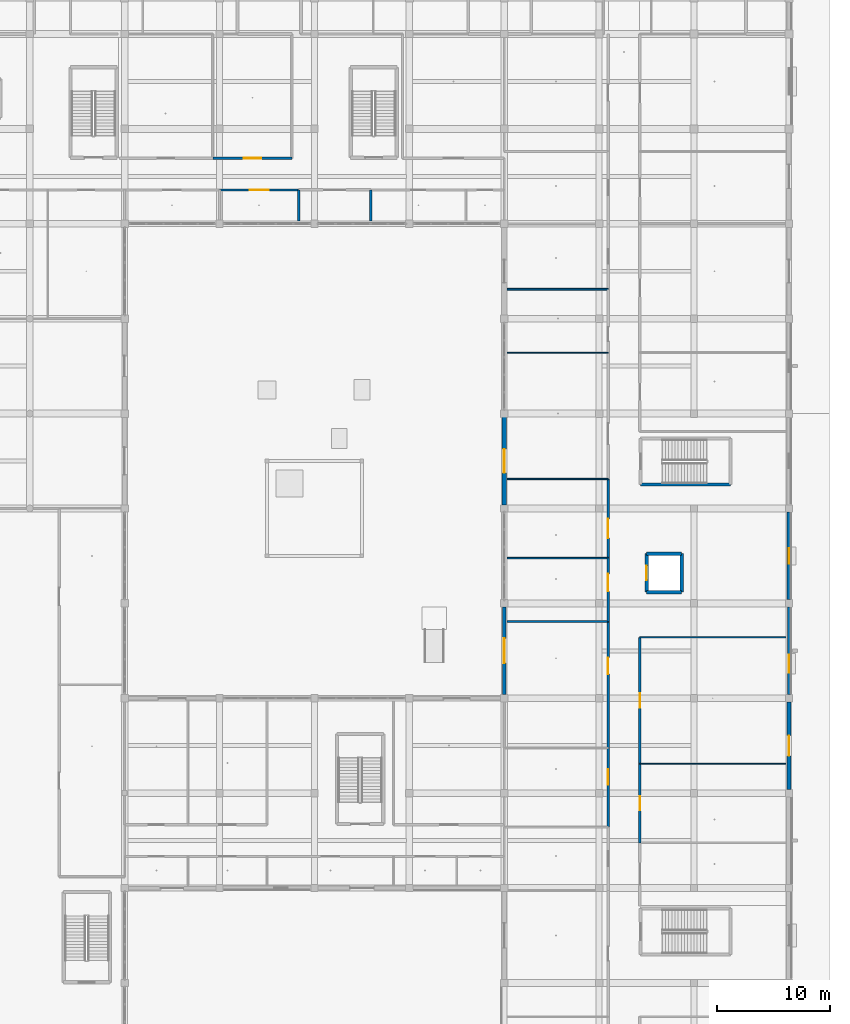
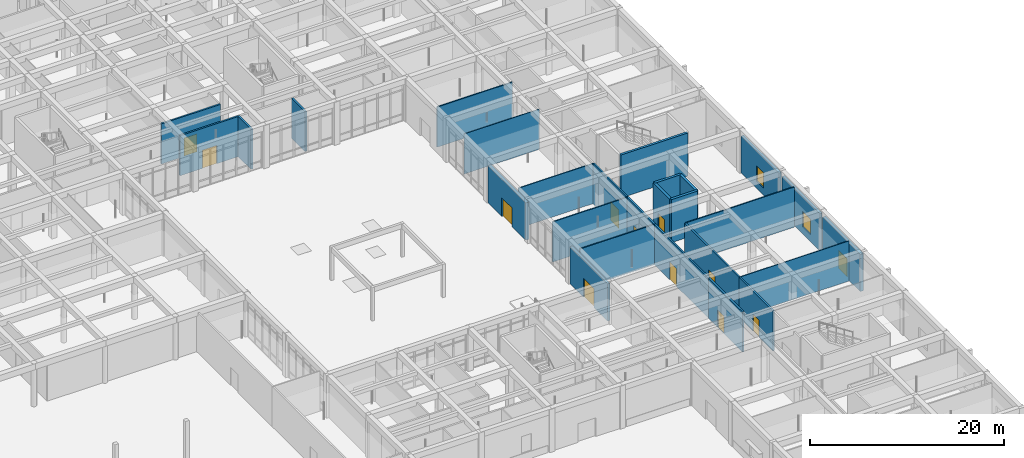
# One storey, part 75 of 167: 27 walls, 12 doors, 2 windows, 14 openings.
"""IFC4 building model written with IfcOpenShell, lengths in metres."""

from ifc_helpers import new_model, si_unit, direction, frame, frame_2d, origin, place, context, subcontext, project, spatial, rectangle, extrude, material, layer, layer_set, type_object, element, fill, save


model = new_model("IFC4")

# Units and contexts
model_context = context("Model", 3, precision=1e-05, world=origin(), true_north=direction((0.0, 1.0)))
body_context = subcontext(model_context, "Body", "Model", "MODEL_VIEW")
ifc_project = project(units=[si_unit("LENGTHUNIT", "METRE"), si_unit("AREAUNIT", "SQUARE_METRE"), si_unit("VOLUMEUNIT", "CUBIC_METRE"), si_unit("PLANEANGLEUNIT", "RADIAN"), si_unit("MASSUNIT", "GRAM", prefix="KILO")], contexts=[model_context])

# Site, building, storey
site_placement = place(None, origin())
site = spatial("IfcSite", under=ifc_project, at=site_placement, CompositionType="ELEMENT")
building_placement = place(site_placement, origin())
building = spatial("IfcBuilding", under=site, at=building_placement, Name="Varncliffe General Hospital", CompositionType="ELEMENT")
storey_placement = place(building_placement, origin())
storey = spatial("IfcBuildingStorey", under=building, at=storey_placement, Name="L00", CompositionType="ELEMENT", Elevation=0.0)

# Wall, opening, window
ifc_material_1 = material(Name="Precast concrete C40/50 with insulated cream lime-cement stucco", Category="concrete")
ifc_layer_1 = layer(ifc_material_1, 0.31005859375)
ifc_layer_set_1 = layer_set([ifc_layer_1], Name="Precast concrete C40/50 with insulated cream lime-cement stucco")
wall_type_1 = type_object("IfcWallType", Name="Exterior Insulated Stucco Wall EW20 (310mm)", PredefinedType="SOLIDWALL", material=ifc_layer_set_1)
wall_1_placement = place(storey_placement, frame((176.39990234375, 57.277099609375, 0.0), z_axis=(0.0, 0.0, 1.0), x_axis=(0.0, -1.0, 0.0)))
wall_1 = element("IfcWall", 1, at=wall_1_placement, inside=storey, type_object=wall_type_1, Name="L00 Exterior Stucco Wall EW20-45", PredefinedType="SOLIDWALL", context=body_context, shape_type="SweptSolid", body=[
    extrude(rectangle(XDim=7.754150390625, YDim=0.31005859375, at=frame_2d((3.876953125, 0.0))), origin(), (0.0, 0.0, 1.0), 4.679931640625),
])
opening_1_placement = place(wall_1_placement, frame((3.177001953125, 0.0, 0.89990234375)))
opening_1 = element("IfcOpeningElement", 2, at=opening_1_placement, cuts=wall_1, Name="Opening WN22", PredefinedType="OPENING", context=body_context, shape_type="SweptSolid", body=[
    extrude(rectangle(XDim=1.39990234375, YDim=1.949951171875, at=frame_2d((0.699951171875, 0.97509765625))), frame((0.0, 0.1650390625, 0.0), z_axis=(0.0, -1.0, 0.0), x_axis=(1.0, 0.0, 0.0)), (0.0, 0.0, 1.0), 0.330078125),
])
ifc_material_2 = material(Name="Triple low-E argon insulated vision glazing", Category="glass")
window_type_1 = type_object("IfcWindowType", Name="Triple-Glazed Hospital Window WN22 (1400x1950)", PartitioningType="SINGLE_PANEL", PredefinedType="WINDOW", material=ifc_material_2)
window_1_placement = place(opening_1_placement, origin())
window_1 = element("IfcWindow", 3, at=window_1_placement, inside=storey, type_object=window_type_1, Name="L00 Hospital Window WN22-26", OverallHeight=1.949951171875, OverallWidth=1.39990234375, PartitioningType="SINGLE_PANEL", PredefinedType="WINDOW", context=body_context, shape_type="SweptSolid", body=[
    extrude(rectangle(XDim=1.39990234375, YDim=1.949951171875, at=frame_2d((0.699951171875, 0.97509765625))), frame((0.0, 0.030029296875, 0.0), z_axis=(0.0, -1.0, 0.0), x_axis=(1.0, 0.0, 0.0)), (0.0, 0.0, 1.0), 0.06005859375),
])
fill(opening_1, window_1)

# Wall, opening, door
ifc_layer_2 = layer(ifc_material_1, 0.3798828125)
ifc_layer_set_2 = layer_set([ifc_layer_2], Name="Precast concrete C40/50 with insulated cream lime-cement stucco")
wall_type_2 = type_object("IfcWallType", Name="Exterior Insulated Stucco Wall EW26 (380mm)", PredefinedType="SOLIDWALL", material=ifc_layer_set_2)
wall_2_placement = place(storey_placement, frame((176.39990234375, 40.47705078125, 0.0), z_axis=(0.0, 0.0, 1.0), x_axis=(0.0, -1.0, 0.0)))
wall_2 = element("IfcWall", 4, at=wall_2_placement, inside=storey, type_object=wall_type_2, Name="L00 Exterior Stucco Wall EW26-47", PredefinedType="SOLIDWALL", context=body_context, shape_type="SweptSolid", body=[
    extrude(rectangle(XDim=7.754150390625, YDim=0.3798828125, at=frame_2d((3.876953125, 0.0))), origin(), (0.0, 0.0, 1.0), 4.679931640625),
])
opening_2_placement = place(wall_2_placement, frame((2.97705078125, 0.0, 0.0)))
opening_2 = element("IfcOpeningElement", 5, at=opening_2_placement, cuts=wall_2, Name="Opening DE28", PredefinedType="OPENING", context=body_context, shape_type="SweptSolid", body=[
    extrude(rectangle(XDim=1.800048828125, YDim=2.25, at=frame_2d((0.89990234375, 1.125))), frame((0.0, 0.199951171875, 0.0), z_axis=(0.0, -1.0, 0.0), x_axis=(1.0, 0.0, 0.0)), (0.0, 0.0, 1.0), 0.39990234375),
])
ifc_material_3 = material(Name="Thermally broken bronze-anodized aluminium and safety glass door", Category="aluminium")
door_type_1 = type_object("IfcDoorType", Name="Exterior Pedestrian Door DE28 (1800x2250)", OperationType="NOTDEFINED", PredefinedType="DOOR", material=ifc_material_3)
door_1_placement = place(opening_2_placement, origin())
door_1 = element("IfcDoor", 6, at=door_1_placement, inside=storey, type_object=door_type_1, Name="Main Pedestrian Entrance and Final Exit Door FE-11", OperationType="DOUBLE_DOOR_SINGLE_SWING", OverallHeight=2.25, OverallWidth=1.800048828125, PredefinedType="DOOR", context=body_context, shape_type="SweptSolid", body=[
    extrude(rectangle(XDim=1.800048828125, YDim=2.25, at=frame_2d((0.89990234375, 1.125))), frame((0.0, 0.02490234375, 0.0), z_axis=(0.0, -1.0, 0.0), x_axis=(1.0, 0.0, 0.0)), (0.0, 0.0, 1.0), 0.050048828125),
])
fill(opening_2, door_1)

wall_3_placement = place(storey_placement, frame((151.199951171875, 57.923095703125, 0.0), z_axis=(0.0, 0.0, 1.0), x_axis=(0.0, 1.0, 0.0)))
wall_3 = element("IfcWall", 7, at=wall_3_placement, inside=storey, type_object=wall_type_2, Name="L00 Exterior Stucco Wall EW26-87", PredefinedType="SOLIDWALL", context=body_context, shape_type="SweptSolid", body=[
    extrude(rectangle(XDim=7.75390625, YDim=0.3798828125, at=frame_2d((3.876953125, 0.0))), origin(), (0.0, 0.0, 1.0), 4.679931640625),
])
opening_3_placement = place(wall_3_placement, frame((2.826904296875, 0.0, 0.0)))
opening_3 = element("IfcOpeningElement", 8, at=opening_3_placement, cuts=wall_3, Name="Opening DE44", PredefinedType="OPENING", context=body_context, shape_type="SweptSolid", body=[
    extrude(rectangle(XDim=2.10009765625, YDim=2.35009765625, at=frame_2d((1.050048828125, 1.175048828125))), frame((0.0, 0.199951171875, 0.0), z_axis=(0.0, -1.0, 0.0), x_axis=(1.0, 0.0, 0.0)), (0.0, 0.0, 1.0), 0.39990234375),
])
door_type_2 = type_object("IfcDoorType", Name="Exterior Pedestrian Door DE44 (2100x2350)", OperationType="NOTDEFINED", PredefinedType="DOOR", material=ifc_material_3)
door_2_placement = place(opening_3_placement, origin())
door_2 = element("IfcDoor", 9, at=door_2_placement, inside=storey, type_object=door_type_2, Name="Main Pedestrian Entrance and Final Exit Door FE-33", OperationType="DOUBLE_DOOR_SINGLE_SWING", OverallHeight=2.35009765625, OverallWidth=2.10009765625, PredefinedType="DOOR", context=body_context, shape_type="SweptSolid", body=[
    extrude(rectangle(XDim=2.10009765625, YDim=2.35009765625, at=frame_2d((1.050048828125, 1.175048828125))), frame((0.0, 0.02490234375, 0.0), z_axis=(0.0, -1.0, 0.0), x_axis=(1.0, 0.0, 0.0)), (0.0, 0.0, 1.0), 0.050048828125),
])
fill(opening_3, door_2)

# Wall, opening, window
ifc_layer_3 = layer(ifc_material_1, 0.2900390625)
ifc_layer_set_3 = layer_set([ifc_layer_3], Name="Precast concrete C40/50 with insulated cream lime-cement stucco")
wall_type_3 = type_object("IfcWallType", Name="Exterior Insulated Stucco Wall EW31 (290mm)", PredefinedType="SOLIDWALL", material=ifc_layer_set_3)
wall_4_placement = place(storey_placement, frame((176.39990234375, 48.876953125, 0.0), z_axis=(0.0, 0.0, 1.0), x_axis=(0.0, -1.0, 0.0)))
wall_4 = element("IfcWall", 10, at=wall_4_placement, inside=storey, type_object=wall_type_3, Name="L00 Exterior Stucco Wall EW31-46", PredefinedType="SOLIDWALL", context=body_context, shape_type="SweptSolid", body=[
    extrude(rectangle(XDim=7.75390625, YDim=0.2900390625, at=frame_2d((3.876953125, 0.0))), origin(), (0.0, 0.0, 1.0), 4.679931640625),
])
opening_4_placement = place(wall_4_placement, frame((4.23291015625, 0.0, 0.89990234375)))
opening_4 = element("IfcOpeningElement", 11, at=opening_4_placement, cuts=wall_4, Name="Opening WN13", PredefinedType="OPENING", context=body_context, shape_type="SweptSolid", body=[
    extrude(rectangle(XDim=1.60009765625, YDim=1.949951171875, at=frame_2d((0.800048828125, 0.97509765625))), frame((0.0, 0.155029296875, 0.0), z_axis=(0.0, -1.0, 0.0), x_axis=(1.0, 0.0, 0.0)), (0.0, 0.0, 1.0), 0.31005859375),
])
window_type_2 = type_object("IfcWindowType", Name="Triple-Glazed Hospital Window WN13 (1600x1950)", PartitioningType="DOUBLE_PANEL_VERTICAL", PredefinedType="WINDOW", material=ifc_material_2)
window_2_placement = place(opening_4_placement, origin())
window_2 = element("IfcWindow", 12, at=window_2_placement, inside=storey, type_object=window_type_2, Name="L00 Hospital Window WN13-27", OverallHeight=1.949951171875, OverallWidth=1.60009765625, PartitioningType="DOUBLE_PANEL_VERTICAL", PredefinedType="WINDOW", context=body_context, shape_type="SweptSolid", body=[
    extrude(rectangle(XDim=1.60009765625, YDim=1.949951171875, at=frame_2d((0.800048828125, 0.97509765625))), frame((0.0, 0.030029296875, 0.0), z_axis=(0.0, -1.0, 0.0), x_axis=(1.0, 0.0, 0.0)), (0.0, 0.0, 1.0), 0.06005859375),
])
fill(opening_4, window_2)

# Wall, opening, door
wall_5_placement = place(storey_placement, frame((151.199951171875, 41.123046875, 0.0), z_axis=(0.0, 0.0, 1.0), x_axis=(0.0, 1.0, 0.0)))
wall_5 = element("IfcWall", 13, at=wall_5_placement, inside=storey, type_object=wall_type_3, Name="L00 Exterior Stucco Wall EW31-86", PredefinedType="SOLIDWALL", context=body_context, shape_type="SweptSolid", body=[
    extrude(rectangle(XDim=7.75390625, YDim=0.2900390625, at=frame_2d((3.876953125, 0.0))), origin(), (0.0, 0.0, 1.0), 4.679931640625),
])
opening_5_placement = place(wall_5_placement, frame((2.777099609375, 0.0, 0.0)))
opening_5 = element("IfcOpeningElement", 14, at=opening_5_placement, cuts=wall_5, Name="Opening DE27", PredefinedType="OPENING", context=body_context, shape_type="SweptSolid", body=[
    extrude(rectangle(XDim=2.199951171875, YDim=2.39990234375, at=frame_2d((1.10009765625, 1.199951171875))), frame((0.0, 0.155029296875, 0.0), z_axis=(0.0, -1.0, 0.0), x_axis=(1.0, 0.0, 0.0)), (0.0, 0.0, 1.0), 0.31005859375),
])
door_type_3 = type_object("IfcDoorType", Name="Exterior Pedestrian Door DE27 (2200x2400)", OperationType="NOTDEFINED", PredefinedType="DOOR", material=ifc_material_3)
door_3_placement = place(opening_5_placement, origin())
door_3 = element("IfcDoor", 15, at=door_3_placement, inside=storey, type_object=door_type_3, Name="Main Pedestrian Entrance and Final Exit Door FE-32", OperationType="DOUBLE_DOOR_SINGLE_SWING", OverallHeight=2.39990234375, OverallWidth=2.199951171875, PredefinedType="DOOR", context=body_context, shape_type="SweptSolid", body=[
    extrude(rectangle(XDim=2.199951171875, YDim=2.39990234375, at=frame_2d((1.10009765625, 1.199951171875))), frame((0.0, 0.02490234375, 0.0), z_axis=(0.0, -1.0, 0.0), x_axis=(1.0, 0.0, 0.0)), (0.0, 0.0, 1.0), 0.050048828125),
])
fill(opening_5, door_3)

# Walls
ifc_material_4 = material(Name="Acoustic clinical gypsum stud partition assembly", Category="gypsum")
ifc_layer_4 = layer(ifc_material_4, 0.1298828125)
ifc_layer_set_4 = layer_set([ifc_layer_4], Name="Acoustic clinical gypsum stud partition assembly")
wall_type_4 = type_object("IfcWallType", Name="Interior Partitioning IW11 (130mm)", PredefinedType="PARTITIONING", material=ifc_layer_set_4)
wall_6_placement = place(storey_placement, frame((163.199951171875, 46.199951171875, 0.0), z_axis=(0.0, 0.0, 1.0), x_axis=(1.0, 0.0, 0.0)))
element("IfcWall", 16, at=wall_6_placement, inside=storey, type_object=wall_type_4, Name="L00 Interior Partition Wall IW11-103", PredefinedType="PARTITIONING", context=body_context, shape_type="SweptSolid", body=[
    extrude(rectangle(XDim=12.93994140625, YDim=0.1298828125, at=frame_2d((6.469970703125, 0.0))), origin(), (0.0, 0.0, 1.0), 5.0400390625),
])
wall_7_placement = place(storey_placement, frame((151.4599609375, 53.199951171875, 0.0), z_axis=(0.0, 0.0, 1.0), x_axis=(1.0, 0.0, 0.0)))
element("IfcWall", 17, at=wall_7_placement, inside=storey, type_object=wall_type_4, Name="L00 Interior Partition Wall IW11-108", PredefinedType="PARTITIONING", context=body_context, shape_type="SweptSolid", body=[
    extrude(rectangle(XDim=8.93994140625, YDim=0.1298828125, at=frame_2d((4.469970703125, 0.0))), origin(), (0.0, 0.0, 1.0), 5.0400390625),
])
ifc_layer_5 = layer(ifc_material_4, 0.14990234375)
ifc_layer_set_5 = layer_set([ifc_layer_5], Name="Acoustic clinical gypsum stud partition assembly")
wall_type_5 = type_object("IfcWallType", Name="Interior Partitioning IW35 (150mm)", PredefinedType="PARTITIONING", material=ifc_layer_set_5)
for number, where, z_axis, x_axis, name in (
    (18, (151.4599609375, 47.60009765625, 0.0), (0.0, 0.0, 1.0), (1.0, 0.0, 0.0), "L00 Interior Partition Wall IW35-104"),
    (19, (151.4599609375, 77.0, 0.0), (0.0, 0.0, 1.0), (1.0, 0.0, 0.0), "L00 Interior Partition Wall IW35-139"),
):
    element("IfcWall", number, at=place(storey_placement, frame(where, z_axis=z_axis, x_axis=x_axis)), inside=storey, type_object=wall_type_5, Name=name, PredefinedType="PARTITIONING", context=body_context, shape_type="SweptSolid", body=[
        extrude(rectangle(XDim=8.93994140625, YDim=0.14990234375, at=frame_2d((4.469970703125, 0.0))), origin(), (0.0, 0.0, 1.0), 5.0400390625),
    ])
ifc_layer_6 = layer(ifc_material_4, 0.090087890625)
ifc_layer_set_6 = layer_set([ifc_layer_6], Name="Acoustic clinical gypsum stud partition assembly")
wall_type_6 = type_object("IfcWallType", Name="Interior Partitioning IW42 (90mm)", PredefinedType="PARTITIONING", material=ifc_layer_set_6)
wall_8_placement = place(storey_placement, frame((163.199951171875, 35.0, 0.0), z_axis=(0.0, 0.0, 1.0), x_axis=(1.0, 0.0, 0.0)))
element("IfcWall", 20, at=wall_8_placement, inside=storey, type_object=wall_type_6, Name="L00 Interior Partition Wall IW42-96", PredefinedType="PARTITIONING", context=body_context, shape_type="SweptSolid", body=[
    extrude(rectangle(XDim=12.93994140625, YDim=0.090087890625, at=frame_2d((6.469970703125, 0.0))), origin(), (0.0, 0.0, 1.0), 5.0400390625),
])
wall_9_placement = place(storey_placement, frame((151.4599609375, 71.39990234375, 0.0), z_axis=(0.0, 0.0, 1.0), x_axis=(1.0, 0.0, 0.0)))
element("IfcWall", 21, at=wall_9_placement, inside=storey, type_object=wall_type_6, Name="L00 Interior Partition Wall IW42-121", PredefinedType="PARTITIONING", context=body_context, shape_type="SweptSolid", body=[
    extrude(rectangle(XDim=8.93994140625, YDim=0.090087890625, at=frame_2d((4.469970703125, 0.0))), origin(), (0.0, 0.0, 1.0), 5.0400390625),
])
ifc_layer_7 = layer(ifc_material_4, 0.110107421875)
ifc_layer_set_7 = layer_set([ifc_layer_7], Name="Acoustic clinical gypsum stud partition assembly")
wall_type_7 = type_object("IfcWallType", Name="Interior Partitioning IW65 (110mm)", PredefinedType="PARTITIONING", material=ifc_layer_set_7)
wall_10_placement = place(storey_placement, frame((151.4599609375, 60.199951171875, 0.0), z_axis=(0.0, 0.0, 1.0), x_axis=(1.0, 0.0, 0.0)))
element("IfcWall", 22, at=wall_10_placement, inside=storey, type_object=wall_type_7, Name="L00 Interior Partition Wall IW65-117", PredefinedType="PARTITIONING", context=body_context, shape_type="SweptSolid", body=[
    extrude(rectangle(XDim=8.93994140625, YDim=0.110107421875, at=frame_2d((4.469970703125, 0.0))), origin(), (0.0, 0.0, 1.0), 5.0400390625),
])
ifc_material_5 = material(Name="Fire-rated gypsum and mineral-wool partition assembly", Category="gypsum")
ifc_layer_8 = layer(ifc_material_5, 0.22998046875)
ifc_layer_set_8 = layer_set([ifc_layer_8], Name="Fire-rated gypsum and mineral-wool partition assembly")
wall_type_8 = type_object("IfcWallType", Name="Interior Partitioning PW48 (230mm)", PredefinedType="PARTITIONING", material=ifc_layer_set_8)
for number, where, z_axis, x_axis, name in (
    (23, (133.0, 83.06005859375, 0.0), (0.0, 0.0, 1.0), (0.0, 1.0, 0.0), "L00 Interior Partition Wall PW48-372"),
    (24, (139.39990234375, 83.06005859375, 0.0), (0.0, 0.0, 1.0), (0.0, 1.0, 0.0), "L00 Interior Partition Wall PW48-374"),
):
    element("IfcWall", number, at=place(storey_placement, frame(where, z_axis=z_axis, x_axis=x_axis)), inside=storey, type_object=wall_type_8, Name=name, PredefinedType="PARTITIONING", context=body_context, shape_type="SweptSolid", body=[
        extrude(rectangle(XDim=2.739990234375, YDim=0.22998046875, at=frame_2d((1.3701171875, 0.0))), origin(), (0.0, 0.0, 1.0), 5.0400390625),
    ])

# Wall, opening, door
ifc_layer_9 = layer(ifc_material_5, 0.199951171875)
ifc_layer_set_9 = layer_set([ifc_layer_9], Name="Fire-rated gypsum and mineral-wool partition assembly")
wall_type_9 = type_object("IfcWallType", Name="Interior Partitioning PW63 (200mm)", PredefinedType="PARTITIONING", material=ifc_layer_set_9)
wall_11_placement = place(storey_placement, frame((126.0, 85.800048828125, 0.0), z_axis=(0.0, 0.0, 1.0), x_axis=(1.0, 0.0, 0.0)))
wall_11 = element("IfcWall", 25, at=wall_11_placement, inside=storey, type_object=wall_type_9, Name="L00 Interior Partition Wall PW63-159", PredefinedType="PARTITIONING", context=body_context, shape_type="SweptSolid", body=[
    extrude(rectangle(XDim=7.0, YDim=0.199951171875, at=frame_2d((3.5, 0.0))), origin(), (0.0, 0.0, 1.0), 5.0400390625),
])
opening_6_placement = place(wall_11_placement, frame((2.64990234375, 0.0, 0.0)))
opening_6 = element("IfcOpeningElement", 26, at=opening_6_placement, cuts=wall_11, Name="Opening DC50", PredefinedType="OPENING", context=body_context, shape_type="SweptSolid", body=[
    extrude(rectangle(XDim=1.699951171875, YDim=2.300048828125, at=frame_2d((0.85009765625, 1.14990234375))), frame((0.0, 0.10986328125, 0.0), z_axis=(0.0, -1.0, 0.0), x_axis=(1.0, 0.0, 0.0)), (0.0, 0.0, 1.0), 0.219970703125),
])
ifc_material_6 = material(Name="Fire-rated hospital steel-frame vision-panel door", Category="steel")
door_type_4 = type_object("IfcDoorType", Name="Interior Hospital Door DC50 (1700x2300)", OperationType="NOTDEFINED", PredefinedType="DOOR", material=ifc_material_6)
door_4_placement = place(opening_6_placement, frame((1.699951171875, 0.0, 0.0), z_axis=(0.0, 0.0, 1.0), x_axis=(-1.0, 0.0, 0.0)))
door_4 = element("IfcDoor", 27, at=door_4_placement, inside=storey, type_object=door_type_4, Name="L00 Sterile Dispatch and Surgical Prep Room 77 Door", OperationType="SINGLE_SWING_RIGHT", OverallHeight=2.300048828125, OverallWidth=1.699951171875, PredefinedType="DOOR", context=body_context, shape_type="SweptSolid", body=[
    extrude(rectangle(XDim=1.699951171875, YDim=2.300048828125, at=frame_2d((0.85009765625, 1.14990234375))), frame((0.0, 0.02490234375, 0.0), z_axis=(0.0, -1.0, 0.0), x_axis=(1.0, 0.0, 0.0)), (0.0, 0.0, 1.0), 0.050048828125),
])
fill(opening_6, door_4)

wall_12_placement = place(storey_placement, frame((125.39990234375, 88.60009765625, 0.0), z_axis=(0.0, 0.0, 1.0), x_axis=(1.0, 0.0, 0.0)))
wall_12 = element("IfcWall", 28, at=wall_12_placement, inside=storey, type_object=wall_type_9, Name="L00 Interior Partition Wall PW63-172", PredefinedType="PARTITIONING", context=body_context, shape_type="SweptSolid", body=[
    extrude(rectangle(XDim=7.0, YDim=0.199951171875, at=frame_2d((3.5, 0.0))), origin(), (0.0, 0.0, 1.0), 5.0400390625),
])
opening_7_placement = place(wall_12_placement, frame((2.72509765625, 0.0, 0.0)))
opening_7 = element("IfcOpeningElement", 29, at=opening_7_placement, cuts=wall_12, Name="Opening DC67", PredefinedType="OPENING", context=body_context, shape_type="SweptSolid", body=[
    extrude(rectangle(XDim=1.550048828125, YDim=2.25, at=frame_2d((0.77490234375, 1.125))), frame((0.0, 0.10986328125, 0.0), z_axis=(0.0, -1.0, 0.0), x_axis=(1.0, 0.0, 0.0)), (0.0, 0.0, 1.0), 0.219970703125),
])
door_type_5 = type_object("IfcDoorType", Name="Interior Hospital Door DC67 (1550x2250)", OperationType="NOTDEFINED", PredefinedType="DOOR", material=ifc_material_6)
door_5_placement = place(opening_7_placement, origin())
door_5 = element("IfcDoor", 30, at=door_5_placement, inside=storey, type_object=door_type_5, Name="L00 Sterile Dispatch and Surgical Prep Room 86 Door", OperationType="SINGLE_SWING_LEFT", OverallHeight=2.25, OverallWidth=1.550048828125, PredefinedType="DOOR", context=body_context, shape_type="SweptSolid", body=[
    extrude(rectangle(XDim=1.550048828125, YDim=2.25, at=frame_2d((0.77490234375, 1.125))), frame((0.0, 0.02490234375, 0.0), z_axis=(0.0, -1.0, 0.0), x_axis=(1.0, 0.0, 0.0)), (0.0, 0.0, 1.0), 0.050048828125),
])
fill(opening_7, door_5)

wall_13_placement = place(storey_placement, frame((160.39990234375, 29.39990234375, 0.0), z_axis=(0.0, 0.0, 1.0), x_axis=(0.0, 1.0, 0.0)))
wall_13 = element("IfcWall", 31, at=wall_13_placement, inside=storey, type_object=wall_type_9, Name="L00 Interior Partition Wall PW63-403", PredefinedType="PARTITIONING", context=body_context, shape_type="SweptSolid", body=[
    extrude(rectangle(XDim=7.0, YDim=0.199951171875, at=frame_2d((3.5, 0.0))), origin(), (0.0, 0.0, 1.0), 5.0400390625),
])
opening_8_placement = place(wall_13_placement, frame((3.755615234375, 0.0, 0.0)))
opening_8 = element("IfcOpeningElement", 32, at=opening_8_placement, cuts=wall_13, Name="Opening DC85", PredefinedType="OPENING", context=body_context, shape_type="SweptSolid", body=[
    extrude(rectangle(XDim=1.35009765625, YDim=2.199951171875, at=frame_2d((0.675048828125, 1.10009765625))), frame((0.0, 0.10986328125, 0.0), z_axis=(0.0, -1.0, 0.0), x_axis=(1.0, 0.0, 0.0)), (0.0, 0.0, 1.0), 0.219970703125),
])
door_type_6 = type_object("IfcDoorType", Name="Interior Hospital Door DC85 (1350x2200)", OperationType="NOTDEFINED", PredefinedType="DOOR", material=ifc_material_6)
door_6_placement = place(opening_8_placement, origin())
door_6 = element("IfcDoor", 33, at=door_6_placement, inside=storey, type_object=door_type_6, Name="L00 Orthopaedic Fracture Cast Clinic 92 Door", OperationType="SINGLE_SWING_RIGHT", OverallHeight=2.199951171875, OverallWidth=1.35009765625, PredefinedType="DOOR", context=body_context, shape_type="SweptSolid", body=[
    extrude(rectangle(XDim=1.35009765625, YDim=2.199951171875, at=frame_2d((0.675048828125, 1.10009765625))), frame((0.0, 0.02490234375, 0.0), z_axis=(0.0, -1.0, 0.0), x_axis=(1.0, 0.0, 0.0)), (0.0, 0.0, 1.0), 0.050048828125),
])
fill(opening_8, door_6)

wall_14_placement = place(storey_placement, frame((160.39990234375, 36.39990234375, 0.0), z_axis=(0.0, 0.0, 1.0), x_axis=(0.0, 1.0, 0.0)))
wall_14 = element("IfcWall", 34, at=wall_14_placement, inside=storey, type_object=wall_type_9, Name="L00 Interior Partition Wall PW63-404", PredefinedType="PARTITIONING", context=body_context, shape_type="SweptSolid", body=[
    extrude(rectangle(XDim=11.2001953125, YDim=0.199951171875, at=frame_2d((5.60009765625, 0.0))), origin(), (0.0, 0.0, 1.0), 5.0400390625),
])
opening_9_placement = place(wall_14_placement, frame((6.543701171875, 0.0, 0.0)))
opening_9 = element("IfcOpeningElement", 35, at=opening_9_placement, cuts=wall_14, Name="Opening DC66", PredefinedType="OPENING", context=body_context, shape_type="SweptSolid", body=[
    extrude(rectangle(XDim=1.449951171875, YDim=2.25, at=frame_2d((0.72509765625, 1.125))), frame((0.0, 0.10986328125, 0.0), z_axis=(0.0, -1.0, 0.0), x_axis=(1.0, 0.0, 0.0)), (0.0, 0.0, 1.0), 0.219970703125),
])
door_type_7 = type_object("IfcDoorType", Name="Interior Hospital Door DC66 (1450x2250)", OperationType="NOTDEFINED", PredefinedType="DOOR", material=ifc_material_6)
door_7_placement = place(opening_9_placement, origin())
door_7 = element("IfcDoor", 36, at=door_7_placement, inside=storey, type_object=door_type_7, Name="L00 Physical Rehabilitation Therapy Gym 93 Door", OperationType="SINGLE_SWING_LEFT", OverallHeight=2.25, OverallWidth=1.449951171875, PredefinedType="DOOR", context=body_context, shape_type="SweptSolid", body=[
    extrude(rectangle(XDim=1.449951171875, YDim=2.25, at=frame_2d((0.72509765625, 1.125))), frame((0.0, 0.02490234375, 0.0), z_axis=(0.0, -1.0, 0.0), x_axis=(1.0, 0.0, 0.0)), (0.0, 0.0, 1.0), 0.050048828125),
])
fill(opening_9, door_7)

wall_15_placement = place(storey_placement, frame((160.39990234375, 47.60009765625, 0.0), z_axis=(0.0, 0.0, 1.0), x_axis=(0.0, 1.0, 0.0)))
wall_15 = element("IfcWall", 37, at=wall_15_placement, inside=storey, type_object=wall_type_9, Name="L00 Interior Partition Wall PW63-405", PredefinedType="PARTITIONING", context=body_context, shape_type="SweptSolid", body=[
    extrude(rectangle(XDim=5.599853515625, YDim=0.199951171875, at=frame_2d((2.7998046875, 0.0))), origin(), (0.0, 0.0, 1.0), 5.0400390625),
])
opening_10_placement = place(wall_15_placement, frame((2.66748046875, 0.0, 0.0)))
opening_10 = element("IfcOpeningElement", 38, at=opening_10_placement, cuts=wall_15, Name="Opening DC67", PredefinedType="OPENING", context=body_context, shape_type="SweptSolid", body=[
    extrude(rectangle(XDim=1.550048828125, YDim=2.25, at=frame_2d((0.77490234375, 1.125))), frame((0.0, 0.10986328125, 0.0), z_axis=(0.0, -1.0, 0.0), x_axis=(1.0, 0.0, 0.0)), (0.0, 0.0, 1.0), 0.219970703125),
])
door_8_placement = place(opening_10_placement, origin())
door_8 = element("IfcDoor", 39, at=door_8_placement, inside=storey, type_object=door_type_5, Name="L00 Outpatient Consultation and Exam Clinic 94 Door", OperationType="SINGLE_SWING_RIGHT", OverallHeight=2.25, OverallWidth=1.550048828125, PredefinedType="DOOR", context=body_context, shape_type="SweptSolid", body=[
    extrude(rectangle(XDim=1.550048828125, YDim=2.25, at=frame_2d((0.77490234375, 1.125))), frame((0.0, 0.02490234375, 0.0), z_axis=(0.0, -1.0, 0.0), x_axis=(1.0, 0.0, 0.0)), (0.0, 0.0, 1.0), 0.050048828125),
])
fill(opening_10, door_8)

wall_16_placement = place(storey_placement, frame((160.39990234375, 53.199951171875, 0.0), z_axis=(0.0, 0.0, 1.0), x_axis=(0.0, 1.0, 0.0)))
wall_16 = element("IfcWall", 40, at=wall_16_placement, inside=storey, type_object=wall_type_9, Name="L00 Interior Partition Wall PW63-406", PredefinedType="PARTITIONING", context=body_context, shape_type="SweptSolid", body=[
    extrude(rectangle(XDim=7.0, YDim=0.199951171875, at=frame_2d((3.5, 0.0))), origin(), (0.0, 0.0, 1.0), 5.0400390625),
])
opening_11_placement = place(wall_16_placement, frame((1.782470703125, 0.0, 0.0)))
opening_11 = element("IfcOpeningElement", 41, at=opening_11_placement, cuts=wall_16, Name="Opening DC50", PredefinedType="OPENING", context=body_context, shape_type="SweptSolid", body=[
    extrude(rectangle(XDim=1.699951171875, YDim=2.300048828125, at=frame_2d((0.85009765625, 1.14990234375))), frame((0.0, 0.10986328125, 0.0), z_axis=(0.0, -1.0, 0.0), x_axis=(1.0, 0.0, 0.0)), (0.0, 0.0, 1.0), 0.219970703125),
])
door_9_placement = place(opening_11_placement, origin())
door_9 = element("IfcDoor", 42, at=door_9_placement, inside=storey, type_object=door_type_4, Name="L00 Orthopaedic Fracture Cast Clinic 95 Door", OperationType="SINGLE_SWING_LEFT", OverallHeight=2.300048828125, OverallWidth=1.699951171875, PredefinedType="DOOR", context=body_context, shape_type="SweptSolid", body=[
    extrude(rectangle(XDim=1.699951171875, YDim=2.300048828125, at=frame_2d((0.85009765625, 1.14990234375))), frame((0.0, 0.02490234375, 0.0), z_axis=(0.0, -1.0, 0.0), x_axis=(1.0, 0.0, 0.0)), (0.0, 0.0, 1.0), 0.050048828125),
])
fill(opening_11, door_9)

wall_17_placement = place(storey_placement, frame((163.199951171875, 28.0, 0.0), z_axis=(0.0, 0.0, 1.0), x_axis=(0.0, 1.0, 0.0)))
wall_17 = element("IfcWall", 43, at=wall_17_placement, inside=storey, type_object=wall_type_9, Name="L00 Interior Partition Wall PW63-415", PredefinedType="PARTITIONING", context=body_context, shape_type="SweptSolid", body=[
    extrude(rectangle(XDim=7.0, YDim=0.199951171875, at=frame_2d((3.5, 0.0))), origin(), (0.0, 0.0, 1.0), 5.0400390625),
])
opening_12_placement = place(wall_17_placement, frame((2.875, 0.0, 0.0)))
opening_12 = element("IfcOpeningElement", 44, at=opening_12_placement, cuts=wall_17, Name="Opening DC44", PredefinedType="OPENING", context=body_context, shape_type="SweptSolid", body=[
    extrude(rectangle(XDim=1.25, YDim=2.14990234375, at=frame_2d((0.625, 1.074951171875))), frame((0.0, 0.10986328125, 0.0), z_axis=(0.0, -1.0, 0.0), x_axis=(1.0, 0.0, 0.0)), (0.0, 0.0, 1.0), 0.219970703125),
])
door_type_8 = type_object("IfcDoorType", Name="Interior Hospital Door DC44 (1250x2150)", OperationType="NOTDEFINED", PredefinedType="DOOR", material=ifc_material_6)
door_10_placement = place(opening_12_placement, frame((1.25, 0.0, 0.0), z_axis=(0.0, 0.0, 1.0), x_axis=(-1.0, 0.0, 0.0)))
door_10 = element("IfcDoor", 45, at=door_10_placement, inside=storey, type_object=door_type_8, Name="L00 Orthopaedic Fracture Cast Clinic 102 Door", OperationType="SINGLE_SWING_RIGHT", OverallHeight=2.14990234375, OverallWidth=1.25, PredefinedType="DOOR", context=body_context, shape_type="SweptSolid", body=[
    extrude(rectangle(XDim=1.25, YDim=2.14990234375, at=frame_2d((0.625, 1.074951171875))), frame((0.0, 0.02490234375, 0.0), z_axis=(0.0, -1.0, 0.0), x_axis=(1.0, 0.0, 0.0)), (0.0, 0.0, 1.0), 0.050048828125),
])
fill(opening_12, door_10)

wall_18_placement = place(storey_placement, frame((163.199951171875, 35.0, 0.0), z_axis=(0.0, 0.0, 1.0), x_axis=(0.0, 1.0, 0.0)))
wall_18 = element("IfcWall", 46, at=wall_18_placement, inside=storey, type_object=wall_type_9, Name="L00 Interior Partition Wall PW63-416", PredefinedType="PARTITIONING", context=body_context, shape_type="SweptSolid", body=[
    extrude(rectangle(XDim=11.199951171875, YDim=0.199951171875, at=frame_2d((5.60009765625, 0.0))), origin(), (0.0, 0.0, 1.0), 5.0400390625),
])
opening_13_placement = place(wall_18_placement, frame((4.949951171875, 0.0, 0.0)))
opening_13 = element("IfcOpeningElement", 47, at=opening_13_placement, cuts=wall_18, Name="Opening DC88", PredefinedType="OPENING", context=body_context, shape_type="SweptSolid", body=[
    extrude(rectangle(XDim=1.300048828125, YDim=2.199951171875, at=frame_2d((0.64990234375, 1.10009765625))), frame((0.0, 0.10986328125, 0.0), z_axis=(0.0, -1.0, 0.0), x_axis=(1.0, 0.0, 0.0)), (0.0, 0.0, 1.0), 0.219970703125),
])
door_type_9 = type_object("IfcDoorType", Name="Interior Hospital Door DC88 (1300x2200)", OperationType="NOTDEFINED", PredefinedType="DOOR", material=ifc_material_6)
door_11_placement = place(opening_13_placement, frame((1.300048828125, 0.0, 0.0), z_axis=(0.0, 0.0, 1.0), x_axis=(-1.0, 0.0, 0.0)))
door_11 = element("IfcDoor", 48, at=door_11_placement, inside=storey, type_object=door_type_9, Name="L00 Physical Rehabilitation Therapy Gym 103 Door", OperationType="SINGLE_SWING_LEFT", OverallHeight=2.199951171875, OverallWidth=1.300048828125, PredefinedType="DOOR", context=body_context, shape_type="SweptSolid", body=[
    extrude(rectangle(XDim=1.300048828125, YDim=2.199951171875, at=frame_2d((0.64990234375, 1.10009765625))), frame((0.0, 0.02490234375, 0.0), z_axis=(0.0, -1.0, 0.0), x_axis=(1.0, 0.0, 0.0)), (0.0, 0.0, 1.0), 0.050048828125),
])
fill(opening_13, door_11)

# Walls
ifc_material_7 = material(Name="Concrete C40/50 (CSA A23.1 40 MPa)", Category="concrete")
ifc_layer_10 = layer(ifc_material_7, 0.300048828125)
ifc_layer_set_10 = layer_set([ifc_layer_10], Name="Concrete C40/50 (CSA A23.1 40 MPa)")
wall_type_10 = type_object("IfcWallType", Name="Reinforced Concrete Core Shear Wall CW12 (300mm)", PredefinedType="SHEAR", material=ifc_layer_set_10)
wall_19_placement = place(storey_placement, frame((163.800048828125, 50.199951171875, 0.0), z_axis=(0.0, 0.0, 1.0), x_axis=(1.0, 0.0, 0.0)))
element("IfcWall", 49, at=wall_19_placement, inside=storey, type_object=wall_type_10, Name="L00 LF08 Elevator Shaft Wall South", PredefinedType="SHEAR", context=body_context, shape_type="SweptSolid", body=[
    extrude(rectangle(XDim=3.099853515625, YDim=0.300048828125, at=frame_2d((1.5498046875, 0.0))), origin(), (0.0, 0.0, 1.0), 5.39990234375),
])
wall_20_placement = place(storey_placement, frame((166.89990234375, 50.199951171875, 0.0), z_axis=(0.0, 0.0, 1.0), x_axis=(0.0, 1.0, 0.0)))
element("IfcWall", 50, at=wall_20_placement, inside=storey, type_object=wall_type_10, Name="L00 LF08 Elevator Shaft Wall East", PredefinedType="SHEAR", context=body_context, shape_type="SweptSolid", body=[
    extrude(rectangle(XDim=3.400146484375, YDim=0.300048828125, at=frame_2d((1.7001953125, 0.0))), origin(), (0.0, 0.0, 1.0), 5.39990234375),
])
wall_21_placement = place(storey_placement, frame((166.89990234375, 53.60009765625, 0.0), z_axis=(0.0, 0.0, 1.0), x_axis=(-1.0, 0.0, 0.0)))
element("IfcWall", 51, at=wall_21_placement, inside=storey, type_object=wall_type_10, Name="L00 LF08 Elevator Shaft Wall North", PredefinedType="SHEAR", context=body_context, shape_type="SweptSolid", body=[
    extrude(rectangle(XDim=3.099853515625, YDim=0.300048828125, at=frame_2d((1.5498046875, 0.0))), origin(), (0.0, 0.0, 1.0), 5.39990234375),
])

# Wall, opening, door
wall_22_placement = place(storey_placement, frame((163.800048828125, 53.60009765625, 0.0), z_axis=(0.0, 0.0, 1.0), x_axis=(0.0, -1.0, 0.0)))
wall_22 = element("IfcWall", 52, at=wall_22_placement, inside=storey, type_object=wall_type_10, Name="L00 LF08 Elevator Shaft Wall West", PredefinedType="SHEAR", context=body_context, shape_type="SweptSolid", body=[
    extrude(rectangle(XDim=3.400146484375, YDim=0.300048828125, at=frame_2d((1.7001953125, 0.0))), origin(), (0.0, 0.0, 1.0), 5.39990234375),
])
opening_14_placement = place(wall_22_placement, frame((1.050048828125, 0.0, 0.0)))
opening_14 = element("IfcOpeningElement", 53, at=opening_14_placement, cuts=wall_22, Name="Opening LD02", PredefinedType="OPENING", context=body_context, shape_type="SweptSolid", body=[
    extrude(rectangle(XDim=1.300048828125, YDim=2.199951171875, at=frame_2d((0.64990234375, 1.10009765625))), frame((0.0, 0.16015625, 0.0), z_axis=(0.0, -1.0, 0.0), x_axis=(1.0, 0.0, 0.0)), (0.0, 0.0, 1.0), 0.320068359375),
])
ifc_material_8 = material(Name="Brushed stainless-steel sliding elevator landing door", Category="steel")
door_type_10 = type_object("IfcDoorType", Name="Lift Landing Door LD02 (1300x2200)", OperationType="DOUBLE_DOOR_SLIDING", PredefinedType="DOOR", material=ifc_material_8)
door_12_placement = place(opening_14_placement, origin())
door_12 = element("IfcDoor", 54, at=door_12_placement, inside=storey, type_object=door_type_10, Name="Lift Landing Door LF08 L00", OperationType="DOUBLE_DOOR_SLIDING", OverallHeight=2.199951171875, OverallWidth=1.300048828125, PredefinedType="DOOR", context=body_context, shape_type="SweptSolid", body=[
    extrude(rectangle(XDim=1.300048828125, YDim=2.199951171875, at=frame_2d((0.64990234375, 1.10009765625))), frame((0.0, 0.02490234375, 0.0), z_axis=(0.0, -1.0, 0.0), x_axis=(1.0, 0.0, 0.0)), (0.0, 0.0, 1.0), 0.050048828125),
])
fill(opening_14, door_12)

# Wall
ifc_layer_11 = layer(ifc_material_7, 0.280029296875)
ifc_layer_set_11 = layer_set([ifc_layer_11], Name="Concrete C40/50 (CSA A23.1 40 MPa)")
wall_type_11 = type_object("IfcWallType", Name="Reinforced Concrete Core Shear Wall CW13 (280mm)", PredefinedType="SHEAR", material=ifc_layer_set_11)
wall_23_placement = place(storey_placement, frame((163.260009765625, 59.7099609375, 0.0), z_axis=(0.0, 0.0, 1.0), x_axis=(1.0, 0.0, 0.0)))
element("IfcWall", 55, at=wall_23_placement, inside=storey, type_object=wall_type_11, Name="L00 ST07 Core Shear Wall L", PredefinedType="SHEAR", context=body_context, shape_type="SweptSolid", body=[
    extrude(rectangle(XDim=7.97998046875, YDim=0.280029296875, at=frame_2d((3.989990234375, 0.0))), origin(), (0.0, 0.0, 1.0), 5.39990234375),
])

save(model, "model.ifc")
